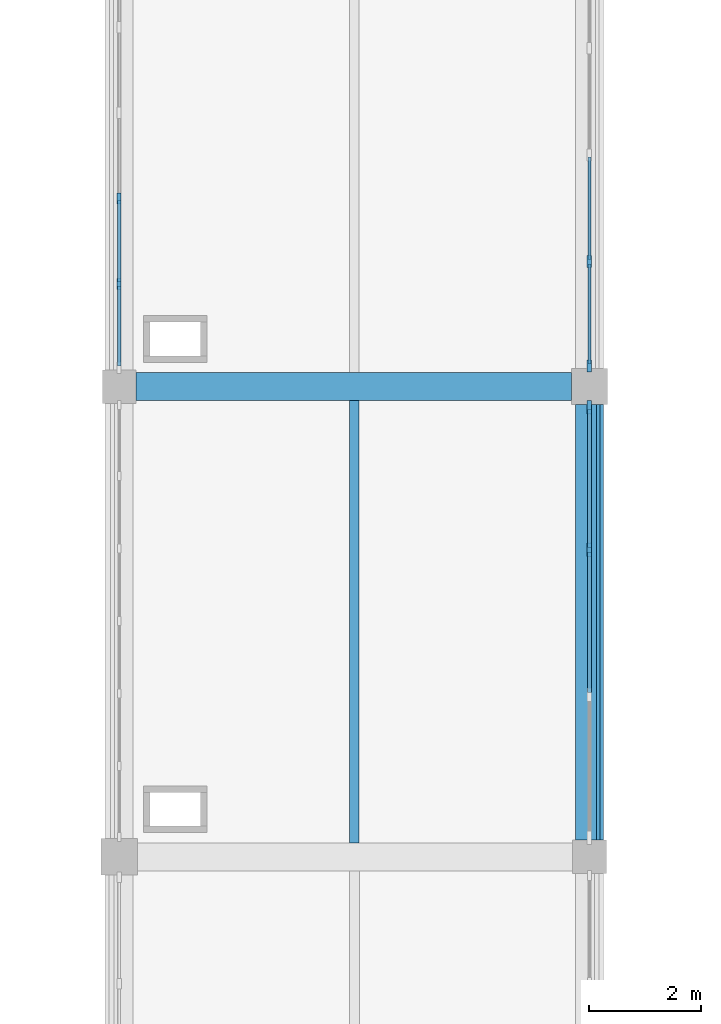
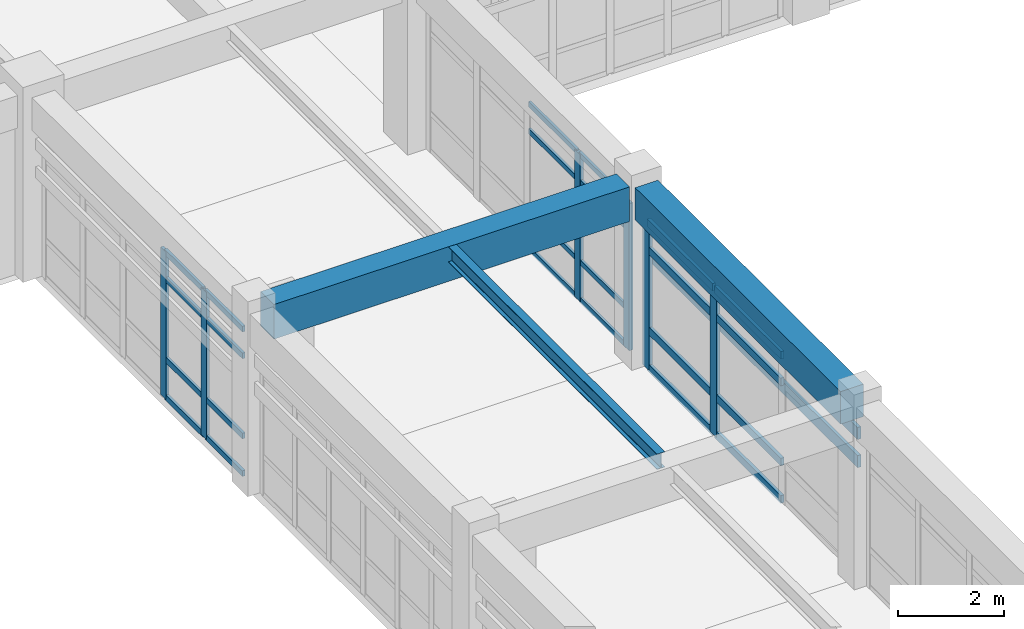
# One storey, part 37 of 99: 32 members, 3 beams, 3 elements without a shape of their own.
"""IFC4 building model written with IfcOpenShell, lengths in metres."""

from ifc_helpers import new_model, si_unit, direction, frame, origin, origin_2d, place, context, subcontext, project, spatial, rectangle, i_section, extrude, material, layer, layer_set, material_profile, profile_set, type_object, element, aggregate, save


model = new_model("IFC4")

# Units and contexts
model_context = context("Model", 3, precision=1e-05, world=origin(), true_north=direction((0.0, 1.0)))
body_context = subcontext(model_context, "Body", "Model", "MODEL_VIEW")
ifc_project = project(units=[si_unit("LENGTHUNIT", "METRE"), si_unit("AREAUNIT", "SQUARE_METRE"), si_unit("VOLUMEUNIT", "CUBIC_METRE"), si_unit("PLANEANGLEUNIT", "RADIAN"), si_unit("MASSUNIT", "GRAM", prefix="KILO")], contexts=[model_context])

# Site, building, storey
site_placement = place(None, origin())
site = spatial("IfcSite", under=ifc_project, at=site_placement, CompositionType="ELEMENT")
building_placement = place(site_placement, origin())
building = spatial("IfcBuilding", under=site, at=building_placement, Name="Porcellanite Civic Hall", CompositionType="ELEMENT")
storey_placement = place(building_placement, frame((0.0, 0.0, 5.760009765625)))
storey = spatial("IfcBuildingStorey", under=building, at=storey_placement, Name="L01", CompositionType="ELEMENT", Elevation=5.760009765625)

# Beams
ifc_material_1 = material(Name="Concrete N50 (50 MPa)", Category="concrete")
ifc_material_profile_1 = material_profile(ifc_material_1, rectangle(XDim=0.5, YDim=0.75, at=origin_2d()), Name="RC-500x750")
ifc_profile_set_1 = profile_set([ifc_material_profile_1], Name="Concrete N50 (50 MPa)")
beam_type_1 = type_object("IfcBeamType", Name="BM-RC750", PredefinedType="SPANDREL", material=ifc_profile_set_1)
beam_1_placement = place(storey_placement, frame((126.0, 84.299560546875, 3.824951171875), z_axis=(0.0, 1.0, 0.0), x_axis=(-1.0, 0.0, 0.0)))
element("IfcBeam", 1, at=beam_1_placement, inside=storey, type_object=beam_type_1, Name="Beam Y L01 16-11", PredefinedType="SPANDREL", context=body_context, shape_type="SweptSolid", body=[
    extrude(rectangle(XDim=0.5, YDim=0.75, at=origin_2d()), origin(), (0.0, 0.0, 1.0), 7.77587890625),
])
ifc_material_2 = material(Name="Concrete N50 (50 MPa)", Category="concrete")
ifc_material_profile_2 = material_profile(ifc_material_2, rectangle(XDim=0.5, YDim=0.800048828125, at=origin_2d()), Name="RC-500x800")
ifc_profile_set_2 = profile_set([ifc_material_profile_2], Name="Concrete N50 (50 MPa)")
beam_type_2 = type_object("IfcBeamType", Name="BM-RC800", PredefinedType="BEAM", material=ifc_profile_set_2)
beam_2_placement = place(storey_placement, frame((117.8994140625, 92.39990234375, 3.800048828125), z_axis=(1.0, 0.0, 0.0), x_axis=(0.0, 1.0, 0.0)))
element("IfcBeam", 2, at=beam_2_placement, inside=storey, type_object=beam_type_2, Name="Beam X L01 15-12", PredefinedType="BEAM", context=body_context, shape_type="SweptSolid", body=[
    extrude(rectangle(XDim=0.5, YDim=0.800048828125, at=origin_2d()), origin(), (0.0, 0.0, 1.0), 7.776123046875),
])

# Curtain wall, members
ifc_material_3 = material(Name="Anodised aluminium and solar laminated glass", Category="aluminium")
ifc_layer_1 = layer(ifc_material_3, 0.179931640625)
ifc_layer_set_1 = layer_set([ifc_layer_1], Name="Anodised aluminium and solar laminated glass")
curtain_wall_type_1 = type_object("IfcCurtainWallType", Name="CW-SYS08", PredefinedType="NOTDEFINED", material=ifc_layer_set_1)
curtain_wall_1_placement = place(storey_placement, origin())
curtain_wall_1 = element("IfcCurtainWall", 3, at=curtain_wall_1_placement, inside=storey, type_object=curtain_wall_type_1, Name="Curtain wall CW-112", PredefinedType="NOTDEFINED")
ifc_material_4 = material(Name="Anodised aluminium 6063-T6", Category="aluminium")
ifc_material_profile_3 = material_profile(ifc_material_4, rectangle(XDim=0.080078125, YDim=0.239990234375, at=origin_2d()), Name="AL-80x240")
ifc_profile_set_3 = profile_set([ifc_material_profile_3], Name="Anodised aluminium 6063-T6")
member_type_1 = type_object("IfcMemberType", Name="CWM-01", PredefinedType="MULLION", material=ifc_profile_set_3)
member_1_placement = place(storey_placement, frame((126.0, 92.033935546875, 0.0), z_axis=(0.0, 0.0, 1.0), x_axis=(1.0, 0.0, 0.0)))
member_1 = element("IfcMember", 4, at=member_1_placement, type_object=member_type_1, Name="CW-112 mullion 1", PredefinedType="MULLION", context=body_context, shape_type="SweptSolid", body=[
    extrude(rectangle(XDim=0.080078125, YDim=0.239990234375, at=origin_2d()), origin(), (0.0, 0.0, 1.0), 3.39990234375),
])
member_2_placement = place(storey_placement, frame((126.0, 89.48291015625, 0.0), z_axis=(0.0, 0.0, 1.0), x_axis=(1.0, 0.0, 0.0)))
member_2 = element("IfcMember", 5, at=member_2_placement, type_object=member_type_1, Name="CW-112 mullion 2", PredefinedType="MULLION", context=body_context, shape_type="SweptSolid", body=[
    extrude(rectangle(XDim=0.080078125, YDim=0.239990234375, at=origin_2d()), origin(), (0.0, 0.0, 1.0), 3.39990234375),
])

ifc_material_5 = material(Name="Anodised aluminium and solar laminated glass", Category="aluminium")
ifc_layer_2 = layer(ifc_material_5, 0.179931640625)
ifc_layer_set_2 = layer_set([ifc_layer_2], Name="Anodised aluminium and solar laminated glass")
curtain_wall_type_2 = type_object("IfcCurtainWallType", Name="CW-SYS03", PredefinedType="NOTDEFINED", material=ifc_layer_set_2)
curtain_wall_2_placement = place(storey_placement, origin())
curtain_wall_2 = element("IfcCurtainWall", 6, at=curtain_wall_2_placement, inside=storey, type_object=curtain_wall_type_2, Name="Curtain wall CW-114", PredefinedType="NOTDEFINED")
ifc_material_6 = material(Name="Anodised aluminium 6063-T6", Category="aluminium")
ifc_material_profile_4 = material_profile(ifc_material_6, rectangle(XDim=0.080078125, YDim=0.2099609375, at=origin_2d()), Name="AL-80x210")
ifc_profile_set_4 = profile_set([ifc_material_profile_4], Name="Anodised aluminium 6063-T6")
member_type_2 = type_object("IfcMemberType", Name="CWM-02", PredefinedType="MULLION", material=ifc_profile_set_4)
member_3_placement = place(storey_placement, frame((126.0, 94.6318359375, 0.0), z_axis=(0.0, 0.0, 1.0), x_axis=(1.0, 0.0, 0.0)))
member_3 = element("IfcMember", 7, at=member_3_placement, type_object=member_type_2, Name="CW-114 mullion 4", PredefinedType="MULLION", context=body_context, shape_type="SweptSolid", body=[
    extrude(rectangle(XDim=0.080078125, YDim=0.2099609375, at=origin_2d()), origin(), (0.0, 0.0, 1.0), 3.39990234375),
])
member_4_placement = place(storey_placement, frame((126.0, 92.76611328125, 0.0), z_axis=(0.0, 0.0, 1.0), x_axis=(1.0, 0.0, 0.0)))
member_4 = element("IfcMember", 8, at=member_4_placement, type_object=member_type_2, Name="CW-114 mullion 5", PredefinedType="MULLION", context=body_context, shape_type="SweptSolid", body=[
    extrude(rectangle(XDim=0.080078125, YDim=0.2099609375, at=origin_2d()), origin(), (0.0, 0.0, 1.0), 3.39990234375),
])

ifc_material_7 = material(Name="Anodised aluminium and solar laminated glass", Category="aluminium")
ifc_layer_3 = layer(ifc_material_7, 0.179931640625)
ifc_layer_set_3 = layer_set([ifc_layer_3], Name="Anodised aluminium and solar laminated glass")
curtain_wall_type_3 = type_object("IfcCurtainWallType", Name="CW-SYS01", PredefinedType="NOTDEFINED", material=ifc_layer_set_3)
curtain_wall_3_placement = place(storey_placement, origin())
curtain_wall_3 = element("IfcCurtainWall", 9, at=curtain_wall_3_placement, inside=storey, type_object=curtain_wall_type_3, Name="Curtain wall CW-113", PredefinedType="NOTDEFINED")
ifc_material_8 = material(Name="Anodised aluminium 6063-T6", Category="aluminium")
ifc_material_profile_5 = material_profile(ifc_material_8, rectangle(XDim=0.070068359375, YDim=0.199951171875, at=origin_2d()), Name="AL-70x200")
ifc_profile_set_5 = profile_set([ifc_material_profile_5], Name="Anodised aluminium 6063-T6")
member_type_3 = type_object("IfcMemberType", Name="CWM-05", PredefinedType="MULLION", material=ifc_profile_set_5)
member_5_placement = place(storey_placement, frame((117.60009765625, 94.230712890625, 0.0), z_axis=(0.0, 0.0, 1.0), x_axis=(-1.0, 0.0, 0.0)))
member_5 = element("IfcMember", 10, at=member_5_placement, type_object=member_type_3, Name="CW-113 mullion 2", PredefinedType="MULLION", context=body_context, shape_type="SweptSolid", body=[
    extrude(rectangle(XDim=0.070068359375, YDim=0.199951171875, at=origin_2d()), origin(), (0.0, 0.0, 1.0), 3.39990234375),
])
member_6_placement = place(storey_placement, frame((117.60009765625, 95.76025390625, 0.0), z_axis=(0.0, 0.0, 1.0), x_axis=(-1.0, 0.0, 0.0)))
member_6 = element("IfcMember", 11, at=member_6_placement, type_object=member_type_3, Name="CW-113 mullion 3", PredefinedType="MULLION", context=body_context, shape_type="SweptSolid", body=[
    extrude(rectangle(XDim=0.070068359375, YDim=0.199951171875, at=origin_2d()), origin(), (0.0, 0.0, 1.0), 3.39990234375),
])

# Member
ifc_material_9 = material(Name="Anodised aluminium 6063-T6", Category="aluminium")
ifc_material_profile_6 = material_profile(ifc_material_9, rectangle(XDim=0.070068359375, YDim=0.175048828125, at=origin_2d()), Name="AL-70x175")
ifc_profile_set_6 = profile_set([ifc_material_profile_6], Name="Anodised aluminium 6063-T6")
member_type_4 = type_object("IfcMemberType", Name="CWT-01", PredefinedType="USERDEFINED", material=ifc_profile_set_6)
member_7_placement = place(storey_placement, frame((126.0, 91.993896484375, 0.034912109375), z_axis=(0.0, -1.0, 0.0), x_axis=(1.0, 0.0, 0.0)))
member_7 = element("IfcMember", 12, at=member_7_placement, type_object=member_type_4, Name="CW-112 transom 1.1", ObjectType="TRANSOM", PredefinedType="USERDEFINED", context=body_context, shape_type="SweptSolid", body=[
    extrude(rectangle(XDim=0.070068359375, YDim=0.175048828125, at=origin_2d()), origin(), (0.0, 0.0, 1.0), 2.470947265625),
])

member_8_placement = place(storey_placement, frame((126.0, 91.993896484375, 0.89990234375), z_axis=(0.0, -1.0, 0.0), x_axis=(1.0, 0.0, 0.0)))
member_8 = element("IfcMember", 13, at=member_8_placement, type_object=member_type_4, Name="CW-112 transom 1.2", ObjectType="TRANSOM", PredefinedType="USERDEFINED", context=body_context, shape_type="SweptSolid", body=[
    extrude(rectangle(XDim=0.070068359375, YDim=0.175048828125, at=origin_2d()), origin(), (0.0, 0.0, 1.0), 2.470947265625),
])

member_9_placement = place(storey_placement, frame((126.0, 91.993896484375, 2.75), z_axis=(0.0, -1.0, 0.0), x_axis=(1.0, 0.0, 0.0)))
member_9 = element("IfcMember", 14, at=member_9_placement, type_object=member_type_4, Name="CW-112 transom 1.3", ObjectType="TRANSOM", PredefinedType="USERDEFINED", context=body_context, shape_type="SweptSolid", body=[
    extrude(rectangle(XDim=0.070068359375, YDim=0.175048828125, at=origin_2d()), origin(), (0.0, 0.0, 1.0), 2.470947265625),
])

member_10_placement = place(storey_placement, frame((126.0, 91.993896484375, 3.364990234375), z_axis=(0.0, -1.0, 0.0), x_axis=(1.0, 0.0, 0.0)))
member_10 = element("IfcMember", 15, at=member_10_placement, type_object=member_type_4, Name="CW-112 transom 1.4", ObjectType="TRANSOM", PredefinedType="USERDEFINED", context=body_context, shape_type="SweptSolid", body=[
    extrude(rectangle(XDim=0.070068359375, YDim=0.175048828125, at=origin_2d()), origin(), (0.0, 0.0, 1.0), 2.470947265625),
])

member_11_placement = place(storey_placement, frame((126.0, 89.443115234375, 0.034912109375), z_axis=(0.0, -1.0, 0.0), x_axis=(1.0, 0.0, 0.0)))
member_11 = element("IfcMember", 16, at=member_11_placement, type_object=member_type_4, Name="CW-112 transom 2.1", ObjectType="TRANSOM", PredefinedType="USERDEFINED", context=body_context, shape_type="SweptSolid", body=[
    extrude(rectangle(XDim=0.070068359375, YDim=0.175048828125, at=origin_2d()), origin(), (0.0, 0.0, 1.0), 2.51123046875),
])

member_12_placement = place(storey_placement, frame((126.0, 89.443115234375, 0.89990234375), z_axis=(0.0, -1.0, 0.0), x_axis=(1.0, 0.0, 0.0)))
member_12 = element("IfcMember", 17, at=member_12_placement, type_object=member_type_4, Name="CW-112 transom 2.2", ObjectType="TRANSOM", PredefinedType="USERDEFINED", context=body_context, shape_type="SweptSolid", body=[
    extrude(rectangle(XDim=0.070068359375, YDim=0.175048828125, at=origin_2d()), origin(), (0.0, 0.0, 1.0), 2.51123046875),
])

member_13_placement = place(storey_placement, frame((126.0, 89.443115234375, 2.75), z_axis=(0.0, -1.0, 0.0), x_axis=(1.0, 0.0, 0.0)))
member_13 = element("IfcMember", 18, at=member_13_placement, type_object=member_type_4, Name="CW-112 transom 2.3", ObjectType="TRANSOM", PredefinedType="USERDEFINED", context=body_context, shape_type="SweptSolid", body=[
    extrude(rectangle(XDim=0.070068359375, YDim=0.175048828125, at=origin_2d()), origin(), (0.0, 0.0, 1.0), 2.51123046875),
])

member_14_placement = place(storey_placement, frame((126.0, 89.443115234375, 3.364990234375), z_axis=(0.0, -1.0, 0.0), x_axis=(1.0, 0.0, 0.0)))
member_14 = element("IfcMember", 19, at=member_14_placement, type_object=member_type_4, Name="CW-112 transom 2.4", ObjectType="TRANSOM", PredefinedType="USERDEFINED", context=body_context, shape_type="SweptSolid", body=[
    extrude(rectangle(XDim=0.070068359375, YDim=0.175048828125, at=origin_2d()), origin(), (0.0, 0.0, 1.0), 2.51123046875),
])

aggregate(curtain_wall_1, [member_1, member_2, member_7, member_8, member_9, member_10, member_11, member_12, member_13, member_14])

ifc_material_10 = material(Name="Anodised aluminium 6063-T6", Category="aluminium")
ifc_material_profile_7 = material_profile(ifc_material_10, rectangle(XDim=0.06005859375, YDim=0.1298828125, at=origin_2d()), Name="AL-60x130")
ifc_profile_set_7 = profile_set([ifc_material_profile_7], Name="Anodised aluminium 6063-T6")
member_type_5 = type_object("IfcMemberType", Name="CWT-03", PredefinedType="USERDEFINED", material=ifc_profile_set_7)
member_15_placement = place(storey_placement, frame((117.60009765625, 92.77099609375, 0.030029296875), z_axis=(0.0, 1.0, 0.0), x_axis=(-1.0, 0.0, 0.0)))
member_15 = element("IfcMember", 20, at=member_15_placement, type_object=member_type_5, Name="CW-113 transom 1.1", ObjectType="TRANSOM", PredefinedType="USERDEFINED", context=body_context, shape_type="SweptSolid", body=[
    extrude(rectangle(XDim=0.06005859375, YDim=0.1298828125, at=origin_2d()), origin(), (0.0, 0.0, 1.0), 1.424560546875),
])

member_16_placement = place(storey_placement, frame((117.60009765625, 92.77099609375, 0.89990234375), z_axis=(0.0, 1.0, 0.0), x_axis=(-1.0, 0.0, 0.0)))
member_16 = element("IfcMember", 21, at=member_16_placement, type_object=member_type_5, Name="CW-113 transom 1.2", ObjectType="TRANSOM", PredefinedType="USERDEFINED", context=body_context, shape_type="SweptSolid", body=[
    extrude(rectangle(XDim=0.06005859375, YDim=0.1298828125, at=origin_2d()), origin(), (0.0, 0.0, 1.0), 1.424560546875),
])

member_17_placement = place(storey_placement, frame((117.60009765625, 92.77099609375, 2.75), z_axis=(0.0, 1.0, 0.0), x_axis=(-1.0, 0.0, 0.0)))
member_17 = element("IfcMember", 22, at=member_17_placement, type_object=member_type_5, Name="CW-113 transom 1.3", ObjectType="TRANSOM", PredefinedType="USERDEFINED", context=body_context, shape_type="SweptSolid", body=[
    extrude(rectangle(XDim=0.06005859375, YDim=0.1298828125, at=origin_2d()), origin(), (0.0, 0.0, 1.0), 1.424560546875),
])

member_18_placement = place(storey_placement, frame((117.60009765625, 92.77099609375, 3.369873046875), z_axis=(0.0, 1.0, 0.0), x_axis=(-1.0, 0.0, 0.0)))
member_18 = element("IfcMember", 23, at=member_18_placement, type_object=member_type_5, Name="CW-113 transom 1.4", ObjectType="TRANSOM", PredefinedType="USERDEFINED", context=body_context, shape_type="SweptSolid", body=[
    extrude(rectangle(XDim=0.06005859375, YDim=0.1298828125, at=origin_2d()), origin(), (0.0, 0.0, 1.0), 1.424560546875),
])

member_19_placement = place(storey_placement, frame((117.60009765625, 94.265625, 0.030029296875), z_axis=(0.0, 1.0, 0.0), x_axis=(-1.0, 0.0, 0.0)))
member_19 = element("IfcMember", 24, at=member_19_placement, type_object=member_type_5, Name="CW-113 transom 2.1", ObjectType="TRANSOM", PredefinedType="USERDEFINED", context=body_context, shape_type="SweptSolid", body=[
    extrude(rectangle(XDim=0.06005859375, YDim=0.1298828125, at=origin_2d()), origin(), (0.0, 0.0, 1.0), 1.45947265625),
])

member_20_placement = place(storey_placement, frame((117.60009765625, 94.265625, 0.89990234375), z_axis=(0.0, 1.0, 0.0), x_axis=(-1.0, 0.0, 0.0)))
member_20 = element("IfcMember", 25, at=member_20_placement, type_object=member_type_5, Name="CW-113 transom 2.2", ObjectType="TRANSOM", PredefinedType="USERDEFINED", context=body_context, shape_type="SweptSolid", body=[
    extrude(rectangle(XDim=0.06005859375, YDim=0.1298828125, at=origin_2d()), origin(), (0.0, 0.0, 1.0), 1.45947265625),
])

member_21_placement = place(storey_placement, frame((117.60009765625, 94.265625, 2.75), z_axis=(0.0, 1.0, 0.0), x_axis=(-1.0, 0.0, 0.0)))
member_21 = element("IfcMember", 26, at=member_21_placement, type_object=member_type_5, Name="CW-113 transom 2.3", ObjectType="TRANSOM", PredefinedType="USERDEFINED", context=body_context, shape_type="SweptSolid", body=[
    extrude(rectangle(XDim=0.06005859375, YDim=0.1298828125, at=origin_2d()), origin(), (0.0, 0.0, 1.0), 1.45947265625),
])

member_22_placement = place(storey_placement, frame((117.60009765625, 94.265625, 3.369873046875), z_axis=(0.0, 1.0, 0.0), x_axis=(-1.0, 0.0, 0.0)))
member_22 = element("IfcMember", 27, at=member_22_placement, type_object=member_type_5, Name="CW-113 transom 2.4", ObjectType="TRANSOM", PredefinedType="USERDEFINED", context=body_context, shape_type="SweptSolid", body=[
    extrude(rectangle(XDim=0.06005859375, YDim=0.1298828125, at=origin_2d()), origin(), (0.0, 0.0, 1.0), 1.45947265625),
])

aggregate(curtain_wall_3, [member_5, member_6, member_15, member_16, member_17, member_18, member_19, member_20, member_21, member_22])

ifc_material_11 = material(Name="Anodised aluminium 6063-T6", Category="aluminium")
ifc_material_profile_8 = material_profile(ifc_material_11, rectangle(XDim=0.054931640625, YDim=0.1201171875, at=origin_2d()), Name="AL-55x120")
ifc_profile_set_8 = profile_set([ifc_material_profile_8], Name="Anodised aluminium 6063-T6")
member_type_6 = type_object("IfcMemberType", Name="CWT-04", PredefinedType="USERDEFINED", material=ifc_profile_set_8)
member_23_placement = place(storey_placement, frame((126.0, 96.49755859375, 0.027587890625), z_axis=(0.0, -1.0, 0.0), x_axis=(1.0, 0.0, 0.0)))
member_23 = element("IfcMember", 28, at=member_23_placement, type_object=member_type_6, Name="CW-114 transom 3.1", ObjectType="TRANSOM", PredefinedType="USERDEFINED", context=body_context, shape_type="SweptSolid", body=[
    extrude(rectangle(XDim=0.054931640625, YDim=0.1201171875, at=origin_2d()), origin(), (0.0, 0.0, 1.0), 1.825927734375),
])

member_24_placement = place(storey_placement, frame((126.0, 96.49755859375, 0.89990234375), z_axis=(0.0, -1.0, 0.0), x_axis=(1.0, 0.0, 0.0)))
member_24 = element("IfcMember", 29, at=member_24_placement, type_object=member_type_6, Name="CW-114 transom 3.2", ObjectType="TRANSOM", PredefinedType="USERDEFINED", context=body_context, shape_type="SweptSolid", body=[
    extrude(rectangle(XDim=0.054931640625, YDim=0.1201171875, at=origin_2d()), origin(), (0.0, 0.0, 1.0), 1.825927734375),
])

member_25_placement = place(storey_placement, frame((126.0, 96.49755859375, 2.75), z_axis=(0.0, -1.0, 0.0), x_axis=(1.0, 0.0, 0.0)))
member_25 = element("IfcMember", 30, at=member_25_placement, type_object=member_type_6, Name="CW-114 transom 3.3", ObjectType="TRANSOM", PredefinedType="USERDEFINED", context=body_context, shape_type="SweptSolid", body=[
    extrude(rectangle(XDim=0.054931640625, YDim=0.1201171875, at=origin_2d()), origin(), (0.0, 0.0, 1.0), 1.825927734375),
])

member_26_placement = place(storey_placement, frame((126.0, 96.49755859375, 3.37255859375), z_axis=(0.0, -1.0, 0.0), x_axis=(1.0, 0.0, 0.0)))
member_26 = element("IfcMember", 31, at=member_26_placement, type_object=member_type_6, Name="CW-114 transom 3.4", ObjectType="TRANSOM", PredefinedType="USERDEFINED", context=body_context, shape_type="SweptSolid", body=[
    extrude(rectangle(XDim=0.054931640625, YDim=0.1201171875, at=origin_2d()), origin(), (0.0, 0.0, 1.0), 1.825927734375),
])

member_27_placement = place(storey_placement, frame((126.0, 94.591796875, 0.027587890625), z_axis=(0.0, -1.0, 0.0), x_axis=(1.0, 0.0, 0.0)))
member_27 = element("IfcMember", 32, at=member_27_placement, type_object=member_type_6, Name="CW-114 transom 4.1", ObjectType="TRANSOM", PredefinedType="USERDEFINED", context=body_context, shape_type="SweptSolid", body=[
    extrude(rectangle(XDim=0.054931640625, YDim=0.1201171875, at=origin_2d()), origin(), (0.0, 0.0, 1.0), 1.785888671875),
])

member_28_placement = place(storey_placement, frame((126.0, 94.591796875, 0.89990234375), z_axis=(0.0, -1.0, 0.0), x_axis=(1.0, 0.0, 0.0)))
member_28 = element("IfcMember", 33, at=member_28_placement, type_object=member_type_6, Name="CW-114 transom 4.2", ObjectType="TRANSOM", PredefinedType="USERDEFINED", context=body_context, shape_type="SweptSolid", body=[
    extrude(rectangle(XDim=0.054931640625, YDim=0.1201171875, at=origin_2d()), origin(), (0.0, 0.0, 1.0), 1.785888671875),
])

member_29_placement = place(storey_placement, frame((126.0, 94.591796875, 2.75), z_axis=(0.0, -1.0, 0.0), x_axis=(1.0, 0.0, 0.0)))
member_29 = element("IfcMember", 34, at=member_29_placement, type_object=member_type_6, Name="CW-114 transom 4.3", ObjectType="TRANSOM", PredefinedType="USERDEFINED", context=body_context, shape_type="SweptSolid", body=[
    extrude(rectangle(XDim=0.054931640625, YDim=0.1201171875, at=origin_2d()), origin(), (0.0, 0.0, 1.0), 1.785888671875),
])

member_30_placement = place(storey_placement, frame((126.0, 94.591796875, 3.37255859375), z_axis=(0.0, -1.0, 0.0), x_axis=(1.0, 0.0, 0.0)))
member_30 = element("IfcMember", 35, at=member_30_placement, type_object=member_type_6, Name="CW-114 transom 4.4", ObjectType="TRANSOM", PredefinedType="USERDEFINED", context=body_context, shape_type="SweptSolid", body=[
    extrude(rectangle(XDim=0.054931640625, YDim=0.1201171875, at=origin_2d()), origin(), (0.0, 0.0, 1.0), 1.785888671875),
])

aggregate(curtain_wall_2, [member_3, member_4, member_23, member_24, member_25, member_26, member_27, member_28, member_29, member_30])

# Beam
ifc_material_12 = material(Name="Steel Grade 350", Category="steel")
ifc_material_profile_9 = material_profile(ifc_material_12, i_section(OverallWidth=0.172119140625, OverallDepth=0.35888671875, WebThickness=0.008056640625, FlangeThickness=0.012939453125, FilletRadius=0.011474609375, at=origin_2d()), Name="360UB56.7")
ifc_profile_set_9 = profile_set([ifc_material_profile_9], Name="Steel Grade 350")
beam_type_3 = type_object("IfcBeamType", Name="JST-360UB57", PredefinedType="JOIST", material=ifc_profile_set_9)
beam_3_placement = place(storey_placement, frame((121.800048828125, 84.24951171875, 4.0205078125), z_axis=(0.0, 1.0, 0.0), x_axis=(-1.0, 0.0, 0.0)))
element("IfcBeam", 36, at=beam_3_placement, inside=storey, type_object=beam_type_3, Name="Secondary joist L01 15-11", PredefinedType="JOIST", context=body_context, shape_type="SweptSolid", body=[
    extrude(i_section(OverallWidth=0.172119140625, OverallDepth=0.35888671875, WebThickness=0.008056640625, FlangeThickness=0.012939453125, FilletRadius=0.011474609375, at=origin_2d()), origin(), (0.0, 0.0, 1.0), 7.90087890625),
])

# Members
ifc_material_13 = material(Name="Fluoropolymer bauxite-red aluminium 6063-T6", Category="aluminium")
ifc_material_profile_10 = material_profile(ifc_material_13, rectangle(XDim=0.070068359375, YDim=0.280029296875, at=origin_2d()), Name="AL-70x280")
ifc_profile_set_10 = profile_set([ifc_material_profile_10], Name="Fluoropolymer bauxite-red aluminium 6063-T6")
member_type_7 = type_object("IfcMemberType", Name="LV-BLD05", PredefinedType="USERDEFINED", material=ifc_profile_set_10)
for number, where, z_axis, x_axis, name in (
    (37, (126.156982421875, 92.075439453125, 3.10009765625), (0.0, -1.0, 0.0), (1.0, 0.0, 0.0), "Cyclone sunshade louvre L01 E 14-10 1"),
    (38, (126.156982421875, 92.075439453125, 2.449951171875), (0.0, -1.0, 0.0), (1.0, 0.0, 0.0), "Cyclone sunshade louvre L01 E 14-10 2"),
):
    element("IfcMember", number, at=place(storey_placement, frame(where, z_axis=z_axis, x_axis=x_axis)), inside=storey, type_object=member_type_7, Name=name, ObjectType="LOUVRE BLADE", PredefinedType="USERDEFINED", context=body_context, shape_type="SweptSolid", body=[
        extrude(rectangle(XDim=0.070068359375, YDim=0.280029296875, at=origin_2d()), origin(), (0.0, 0.0, 1.0), 7.77587890625),
    ])

save(model, "model.ifc")
